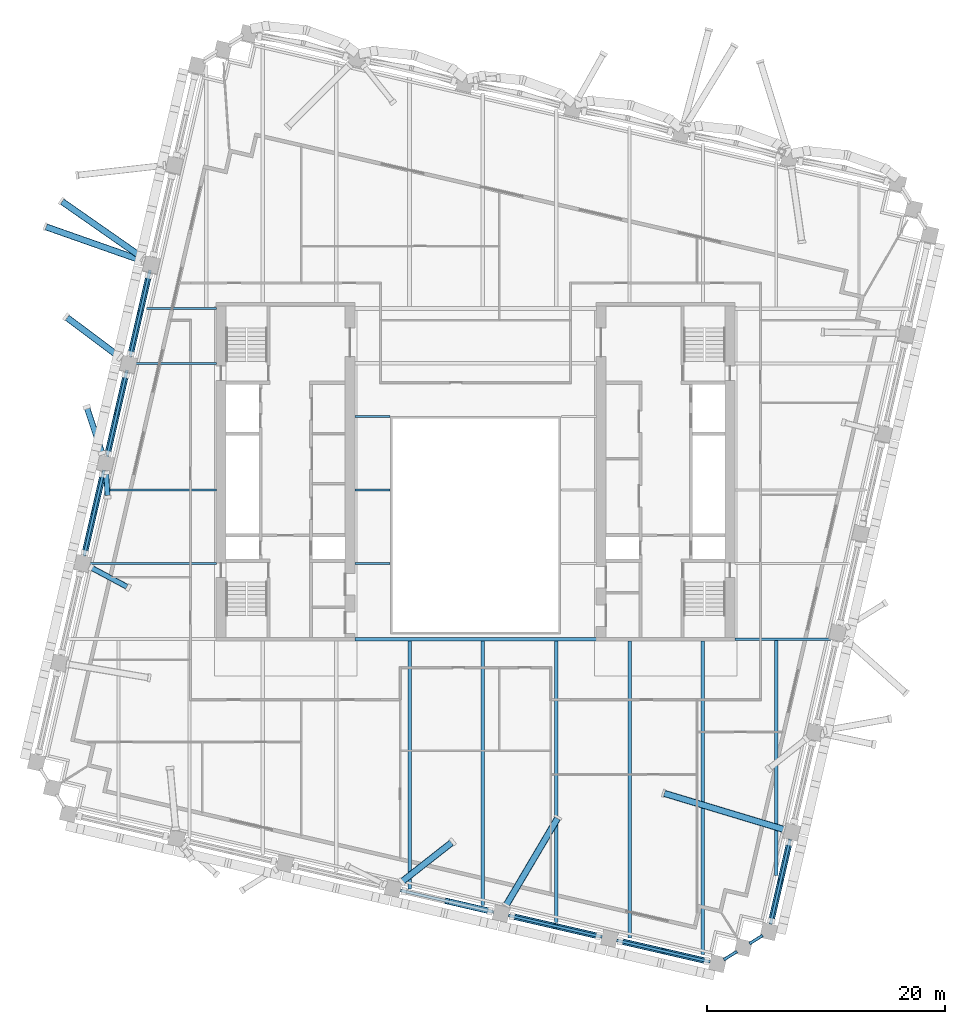
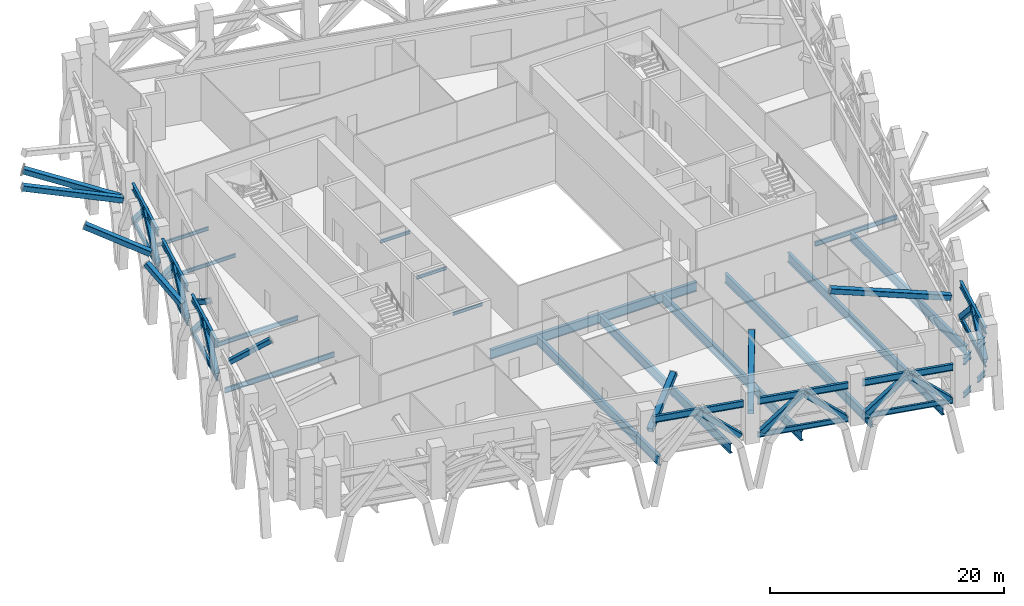
# One storey, part 2 of 20: 32 beams, 22 members.
"""IFC4 building model written with IfcOpenShell, lengths in metres."""

from ifc_helpers import new_model, si_unit, direction, frame, origin, origin_2d, place, context, subcontext, project, spatial, hollow_rectangle, i_section, extrude, material, material_profile, profile_set, type_object, element, save


model = new_model("IFC4")

# Units and contexts
model_context = context("Model", 3, precision=1e-05, world=origin(), true_north=direction((0.0, 1.0)))
body_context = subcontext(model_context, "Body", "Model", "MODEL_VIEW")
ifc_project = project(units=[si_unit("LENGTHUNIT", "METRE"), si_unit("AREAUNIT", "SQUARE_METRE"), si_unit("VOLUMEUNIT", "CUBIC_METRE"), si_unit("PLANEANGLEUNIT", "RADIAN"), si_unit("MASSUNIT", "GRAM", prefix="KILO")], contexts=[model_context])

# Site, building, storey
site_placement = place(None, origin())
site = spatial("IfcSite", under=ifc_project, at=site_placement, CompositionType="ELEMENT")
building_placement = place(site_placement, origin())
building = spatial("IfcBuilding", under=site, at=building_placement, Name="Ogive Exchange Tower", CompositionType="ELEMENT")
storey_placement = place(building_placement, frame((0.0, 0.0, 160.199951171875)))
storey = spatial("IfcBuildingStorey", under=building, at=storey_placement, Name="L35", CompositionType="ELEMENT", Elevation=160.199951171875)

# Beams
ifc_material_1 = material(Name="Steel ASTM A992 Gr50", Category="steel")
ifc_material_profile_1 = material_profile(ifc_material_1, i_section(OverallWidth=0.2099609375, OverallDepth=0.535888671875, WebThickness=0.010986328125, FlangeThickness=0.017333984375, at=origin_2d()), Name="W530x101")
ifc_profile_set_1 = profile_set([ifc_material_profile_1], Name="Steel ASTM A992 Gr50")
beam_type_1 = type_object("IfcBeamType", Name="Belt truss bottom chord W530x101", PredefinedType="BEAM", material=ifc_profile_set_1)
beam_1_placement = place(storey_placement, frame((2.773193359375, -25.85302734375, 0.400146484375), z_axis=(0.974371864918, -0.224943256972, 0.0), x_axis=(0.224943256972, 0.974371864918, 0.0)))
element("IfcBeam", 1, at=beam_1_placement, inside=storey, type_object=beam_type_1, Name="Belt truss bottom chord 5", PredefinedType="BEAM", context=body_context, shape_type="SweptSolid", body=[
    extrude(i_section(OverallWidth=0.2099609375, OverallDepth=0.535888671875, WebThickness=0.010986328125, FlangeThickness=0.017333984375, at=origin_2d()), origin(), (0.0, 0.0, 1.0), 8.090087890625),
])
beam_2_placement = place(storey_placement, frame((11.883544921875, -27.956298828125, 0.400146484375), z_axis=(0.974370337884, -0.224949871421, 0.0), x_axis=(0.224949871421, 0.974370337884, 0.0)))
element("IfcBeam", 2, at=beam_2_placement, inside=storey, type_object=beam_type_1, Name="Belt truss bottom chord 6", PredefinedType="BEAM", context=body_context, shape_type="SweptSolid", body=[
    extrude(i_section(OverallWidth=0.2099609375, OverallDepth=0.535888671875, WebThickness=0.010986328125, FlangeThickness=0.017333984375, at=origin_2d()), origin(), (0.0, 0.0, 1.0), 8.08984375),
])
for number, where, z_axis, x_axis, name in (
    (3, (20.9052734375, -29.58984375, 0.400146484375), (0.848040277303, 0.529931776808, 0.0), (-0.529931776808, 0.848040277303, 0.0), "Belt truss bottom chord 7"),
    (4, (23.06396484375, -28.24072265625, 0.400146484375), (0.848092721491, 0.529847842077, 0.0), (-0.529847842077, 0.848092721491, 0.0), "Belt truss bottom chord 8"),
):
    element("IfcBeam", number, at=place(storey_placement, frame(where, z_axis=z_axis, x_axis=x_axis)), inside=storey, type_object=beam_type_1, Name=name, PredefinedType="BEAM", context=body_context, shape_type="SweptSolid", body=[
        extrude(i_section(OverallWidth=0.2099609375, OverallDepth=0.535888671875, WebThickness=0.010986328125, FlangeThickness=0.017333984375, at=origin_2d()), origin(), (0.0, 0.0, 1.0), 1.30712890625),
    ])
for number, where, z_axis, x_axis, name in (
    (5, (24.83935546875, -26.606201171875, 0.400146484375), (0.224954345887, 0.974369304867, 0.0), (-0.974369304867, 0.224954345887, 0.0), "Belt truss bottom chord 9"),
    (6, (-27.45751953125, 28.265380859375, 0.400146484375), (-0.224954345887, -0.974369304867, 0.0), (0.974369304867, -0.224954345887, 0.0), "Belt truss bottom chord 28"),
    (7, (-29.390380859375, 19.8935546875, 0.400146484375), (-0.224954345887, -0.974369304867, 0.0), (0.974369304867, -0.224954345887, 0.0), "Belt truss bottom chord 29"),
    (8, (-31.3232421875, 11.521484375, 0.400146484375), (-0.224954345887, -0.974369304867, 0.0), (0.974369304867, -0.224954345887, 0.0), "Belt truss bottom chord 30"),
):
    element("IfcBeam", number, at=place(storey_placement, frame(where, z_axis=z_axis, x_axis=x_axis)), inside=storey, type_object=beam_type_1, Name=name, PredefinedType="BEAM", context=body_context, shape_type="SweptSolid", body=[
        extrude(i_section(OverallWidth=0.2099609375, OverallDepth=0.535888671875, WebThickness=0.010986328125, FlangeThickness=0.017333984375, at=origin_2d()), origin(), (0.0, 0.0, 1.0), 7.332275390625),
    ])

# Members
ifc_material_2 = material(Name="Steel ASTM A1085 Gr A", Category="steel")
ifc_material_profile_2 = material_profile(ifc_material_2, hollow_rectangle(XDim=0.508056640625, YDim=0.508056640625, WallThickness=0.022216796875, InnerFilletRadius=0.022216796875, OuterFilletRadius=0.04443359375, at=origin_2d()), Name="HSS508x508x22.2")
ifc_profile_set_2 = profile_set([ifc_material_profile_2], Name="Steel ASTM A1085 Gr A")
member_type_1 = type_object("IfcMemberType", Name="Belt truss diagonal HSS508x508x22.2", PredefinedType="BRACE", material=ifc_profile_set_2)
for number, where, z_axis, x_axis, name in (
    (9, (1.22607421875, -25.495849609375, 0.6845703125), (-0.736085647648, 0.169942254344, 0.655208020033), (-0.224955443303, -0.974369051504, 0.0), "Belt truss diagonal 4b"),
    (10, (3.0927734375, -25.9267578125, 0.6845703125), (0.736085647648, -0.169942254344, 0.655208020033), (0.224955443303, 0.974369051504, 0.0), "Belt truss diagonal 5a"),
    (11, (10.33642578125, -27.59912109375, 0.6845703125), (-0.736085647648, 0.169942254344, 0.655208020033), (-0.224955443303, -0.974369051504, 0.0), "Belt truss diagonal 5b"),
):
    element("IfcMember", number, at=place(storey_placement, frame(where, z_axis=z_axis, x_axis=x_axis)), inside=storey, type_object=member_type_1, Name=name, PredefinedType="BRACE", context=body_context, shape_type="SweptSolid", body=[
        extrude(hollow_rectangle(XDim=0.508056640625, YDim=0.508056640625, WallThickness=0.022216796875, InnerFilletRadius=0.022216796875, OuterFilletRadius=0.04443359375, at=origin_2d()), origin(), (0.0, 0.0, 1.0), 4.92041015625),
    ])
member_1_placement = place(storey_placement, frame((12.202880859375, -28.030029296875, 0.6845703125), z_axis=(0.736108380355, -0.169936047635, 0.655184090226), x_axis=(0.224941047733, 0.974372374939, 0.0)))
element("IfcMember", 12, at=member_1_placement, inside=storey, type_object=member_type_1, Name="Belt truss diagonal 6a", PredefinedType="BRACE", context=body_context, shape_type="SweptSolid", body=[
    extrude(hollow_rectangle(XDim=0.508056640625, YDim=0.508056640625, WallThickness=0.022216796875, InnerFilletRadius=0.022216796875, OuterFilletRadius=0.04443359375, at=origin_2d()), origin(), (0.0, 0.0, 1.0), 4.920654296875),
])
member_2_placement = place(storey_placement, frame((19.44677734375, -29.702392578125, 0.6845703125), z_axis=(-0.736085647648, 0.169942254344, 0.655208020033), x_axis=(-0.224955443303, -0.974369051504, 0.0)))
element("IfcMember", 13, at=member_2_placement, inside=storey, type_object=member_type_1, Name="Belt truss diagonal 6b", PredefinedType="BRACE", context=body_context, shape_type="SweptSolid", body=[
    extrude(hollow_rectangle(XDim=0.508056640625, YDim=0.508056640625, WallThickness=0.022216796875, InnerFilletRadius=0.022216796875, OuterFilletRadius=0.04443359375, at=origin_2d()), origin(), (0.0, 0.0, 1.0), 4.92041015625),
])
member_3_placement = place(storey_placement, frame((24.90673828125, -26.31396484375, 0.685302734375), z_axis=(0.163019581966, 0.706052790803, 0.689140096421), x_axis=(-0.974365693367, 0.224969988199, 0.0)))
element("IfcMember", 14, at=member_3_placement, inside=storey, type_object=member_type_1, Name="Belt truss diagonal 9a", PredefinedType="BRACE", context=body_context, shape_type="SweptSolid", body=[
    extrude(hollow_rectangle(XDim=0.508056640625, YDim=0.508056640625, WallThickness=0.022216796875, InnerFilletRadius=0.022216796875, OuterFilletRadius=0.04443359375, at=origin_2d()), origin(), (0.0, 0.0, 1.0), 4.677001953125),
])
member_4_placement = place(storey_placement, frame((26.422119140625, -19.75048828125, 0.685302734375), z_axis=(-0.162037730716, -0.701848251266, 0.693651790179), x_axis=(0.974369062281, -0.224955396622, 0.0)))
element("IfcMember", 15, at=member_4_placement, inside=storey, type_object=member_type_1, Name="Belt truss diagonal 9b", PredefinedType="BRACE", context=body_context, shape_type="SweptSolid", body=[
    extrude(hollow_rectangle(XDim=0.508056640625, YDim=0.508056640625, WallThickness=0.022216796875, InnerFilletRadius=0.022216796875, OuterFilletRadius=0.04443359375, at=origin_2d()), origin(), (0.0, 0.0, 1.0), 4.646728515625),
])
member_5_placement = place(storey_placement, frame((-27.52099609375, 27.99072265625, 0.685791015625), z_axis=(-0.157966016293, -0.684285699804, 0.711898741915), x_axis=(0.974374367106, -0.224932418132, 0.0)))
element("IfcMember", 16, at=member_5_placement, inside=storey, type_object=member_type_1, Name="Belt truss diagonal 28a", PredefinedType="BRACE", context=body_context, shape_type="SweptSolid", body=[
    extrude(hollow_rectangle(XDim=0.508056640625, YDim=0.508056640625, WallThickness=0.022216796875, InnerFilletRadius=0.022216796875, OuterFilletRadius=0.04443359375, at=origin_2d()), origin(), (0.0, 0.0, 1.0), 4.52685546875),
])
member_6_placement = place(storey_placement, frame((-29.036376953125, 21.427490234375, 0.684814453125), z_axis=(0.166718673105, 0.72195593799, 0.671553801001), x_axis=(-0.974357635643, 0.225004884089, 0.0)))
element("IfcMember", 17, at=member_6_placement, inside=storey, type_object=member_type_1, Name="Belt truss diagonal 28b", PredefinedType="BRACE", context=body_context, shape_type="SweptSolid", body=[
    extrude(hollow_rectangle(XDim=0.508056640625, YDim=0.508056640625, WallThickness=0.022216796875, InnerFilletRadius=0.022216796875, OuterFilletRadius=0.04443359375, at=origin_2d()), origin(), (0.0, 0.0, 1.0), 4.80029296875),
])
member_7_placement = place(storey_placement, frame((-29.45458984375, 19.615234375, 0.685791015625), z_axis=(-0.159032955058, -0.688803449215, 0.707289422765), x_axis=(0.974366918033, -0.224964683992, 0.0)))
element("IfcMember", 18, at=member_7_placement, inside=storey, type_object=member_type_1, Name="Belt truss diagonal 29a", PredefinedType="BRACE", context=body_context, shape_type="SweptSolid", body=[
    extrude(hollow_rectangle(XDim=0.508056640625, YDim=0.508056640625, WallThickness=0.022216796875, InnerFilletRadius=0.022216796875, OuterFilletRadius=0.04443359375, at=origin_2d()), origin(), (0.0, 0.0, 1.0), 4.556396484375),
])
member_8_placement = place(storey_placement, frame((-30.969970703125, 13.052001953125, 0.68505859375), z_axis=(0.1658095518, 0.718115588964, 0.675882529305), x_axis=(-0.974364263773, 0.224976179809, 0.0)))
element("IfcMember", 19, at=member_8_placement, inside=storey, type_object=member_type_1, Name="Belt truss diagonal 29b", PredefinedType="BRACE", context=body_context, shape_type="SweptSolid", body=[
    extrude(hollow_rectangle(XDim=0.508056640625, YDim=0.508056640625, WallThickness=0.022216796875, InnerFilletRadius=0.022216796875, OuterFilletRadius=0.04443359375, at=origin_2d()), origin(), (0.0, 0.0, 1.0), 4.76904296875),
])
member_9_placement = place(storey_placement, frame((-31.38818359375, 11.23974609375, 0.685546875), z_axis=(-0.160067552567, -0.693235695737, 0.702710928313), x_axis=(0.974363446528, -0.224979719244, 0.0)))
element("IfcMember", 20, at=member_9_placement, inside=storey, type_object=member_type_1, Name="Belt truss diagonal 30a", PredefinedType="BRACE", context=body_context, shape_type="SweptSolid", body=[
    extrude(hollow_rectangle(XDim=0.508056640625, YDim=0.508056640625, WallThickness=0.022216796875, InnerFilletRadius=0.022216796875, OuterFilletRadius=0.04443359375, at=origin_2d()), origin(), (0.0, 0.0, 1.0), 4.58642578125),
])
member_10_placement = place(storey_placement, frame((-32.903564453125, 4.676513671875, 0.68505859375), z_axis=(0.164883012604, 0.71414954834, 0.680297004815), x_axis=(-0.974367493424, 0.224962191844, 0.0)))
element("IfcMember", 21, at=member_10_placement, inside=storey, type_object=member_type_1, Name="Belt truss diagonal 30b", PredefinedType="BRACE", context=body_context, shape_type="SweptSolid", body=[
    extrude(hollow_rectangle(XDim=0.508056640625, YDim=0.508056640625, WallThickness=0.022216796875, InnerFilletRadius=0.022216796875, OuterFilletRadius=0.04443359375, at=origin_2d()), origin(), (0.0, 0.0, 1.0), 4.73828125),
])

# Beams
ifc_material_profile_3 = material_profile(ifc_material_1, i_section(OverallWidth=0.25390625, OverallDepth=0.68310546875, WebThickness=0.012451171875, FlangeThickness=0.018798828125, at=origin_2d()), Name="W690x140")
ifc_profile_set_3 = profile_set([ifc_material_profile_3], Name="Steel ASTM A992 Gr50")
beam_type_2 = type_object("IfcBeamType", Name="Belt truss top chord W690x140", PredefinedType="BEAM", material=ifc_profile_set_3)
beam_3_placement = place(storey_placement, frame((-6.337158203125, -23.749755859375, 3.908447265625), z_axis=(0.974370337884, -0.224949871421, 0.0), x_axis=(0.224949871421, 0.974370337884, 0.0)))
element("IfcBeam", 22, at=beam_3_placement, inside=storey, type_object=beam_type_2, Name="Belt truss top chord 4", PredefinedType="BEAM", context=body_context, shape_type="SweptSolid", body=[
    extrude(i_section(OverallWidth=0.25390625, OverallDepth=0.68310546875, WebThickness=0.012451171875, FlangeThickness=0.018798828125, at=origin_2d()), origin(), (0.0, 0.0, 1.0), 8.08984375),
])
beam_4_placement = place(storey_placement, frame((2.773193359375, -25.85302734375, 3.908447265625), z_axis=(0.974371864918, -0.224943256972, 0.0), x_axis=(0.224943256972, 0.974371864918, 0.0)))
element("IfcBeam", 23, at=beam_4_placement, inside=storey, type_object=beam_type_2, Name="Belt truss top chord 5", PredefinedType="BEAM", context=body_context, shape_type="SweptSolid", body=[
    extrude(i_section(OverallWidth=0.25390625, OverallDepth=0.68310546875, WebThickness=0.012451171875, FlangeThickness=0.018798828125, at=origin_2d()), origin(), (0.0, 0.0, 1.0), 8.090087890625),
])
beam_5_placement = place(storey_placement, frame((11.883544921875, -27.956298828125, 3.908447265625), z_axis=(0.974370337884, -0.224949871421, 0.0), x_axis=(0.224949871421, 0.974370337884, 0.0)))
element("IfcBeam", 24, at=beam_5_placement, inside=storey, type_object=beam_type_2, Name="Belt truss top chord 6", PredefinedType="BEAM", context=body_context, shape_type="SweptSolid", body=[
    extrude(i_section(OverallWidth=0.25390625, OverallDepth=0.68310546875, WebThickness=0.012451171875, FlangeThickness=0.018798828125, at=origin_2d()), origin(), (0.0, 0.0, 1.0), 8.08984375),
])
for number, where, z_axis, x_axis, name in (
    (25, (20.9052734375, -29.58984375, 3.908447265625), (0.848040277303, 0.529931776808, 0.0), (-0.529931776808, 0.848040277303, 0.0), "Belt truss top chord 7"),
    (26, (23.06396484375, -28.24072265625, 3.908447265625), (0.848092721491, 0.529847842077, 0.0), (-0.529847842077, 0.848092721491, 0.0), "Belt truss top chord 8"),
):
    element("IfcBeam", number, at=place(storey_placement, frame(where, z_axis=z_axis, x_axis=x_axis)), inside=storey, type_object=beam_type_2, Name=name, PredefinedType="BEAM", context=body_context, shape_type="SweptSolid", body=[
        extrude(i_section(OverallWidth=0.25390625, OverallDepth=0.68310546875, WebThickness=0.012451171875, FlangeThickness=0.018798828125, at=origin_2d()), origin(), (0.0, 0.0, 1.0), 1.30712890625),
    ])
for number, where, z_axis, x_axis, name in (
    (27, (24.83935546875, -26.606201171875, 3.908447265625), (0.224953759704, 0.9743694402, 0.0), (-0.9743694402, 0.224953759704, 0.0), "Belt truss top chord 9"),
    (28, (-27.40625, 28.487548828125, 3.908447265625), (-0.224953759704, -0.9743694402, 0.0), (0.9743694402, -0.224953759704, 0.0), "Belt truss top chord 28"),
    (29, (-29.349365234375, 20.071044921875, 3.908447265625), (-0.224953759704, -0.9743694402, 0.0), (0.9743694402, -0.224953759704, 0.0), "Belt truss top chord 29"),
    (30, (-31.29248046875, 11.65478515625, 3.908447265625), (-0.224953759704, -0.9743694402, 0.0), (0.9743694402, -0.224953759704, 0.0), "Belt truss top chord 30"),
):
    element("IfcBeam", number, at=place(storey_placement, frame(where, z_axis=z_axis, x_axis=x_axis)), inside=storey, type_object=beam_type_2, Name=name, PredefinedType="BEAM", context=body_context, shape_type="SweptSolid", body=[
        extrude(i_section(OverallWidth=0.25390625, OverallDepth=0.68310546875, WebThickness=0.012451171875, FlangeThickness=0.018798828125, at=origin_2d()), origin(), (0.0, 0.0, 1.0), 7.3779296875),
    ])

# Members
ifc_material_profile_4 = material_profile(ifc_material_2, hollow_rectangle(XDim=0.45703125, YDim=0.45703125, WallThickness=0.01904296875, InnerFilletRadius=0.01904296875, OuterFilletRadius=0.0380859375, at=origin_2d()), Name="HSS457.2x457.2x19")
ifc_profile_set_4 = profile_set([ifc_material_profile_4], Name="Steel ASTM A1085 Gr A")
member_type_2 = type_object("IfcMemberType", Name="Block-change strut HSS457.2x457.2x19", PredefinedType="STRUT", material=ifc_profile_set_4)
member_11_placement = place(storey_placement, frame((-31.1064453125, 11.4248046875, 3.466552734375), z_axis=(0.049503907856, -0.848422371919, 0.526999850032), x_axis=(0.998302078708, 0.05824911713, 0.0)))
element("IfcMember", 31, at=member_11_placement, inside=storey, type_object=member_type_2, Name="Block-change strut 26", PredefinedType="STRUT", context=body_context, shape_type="SweptSolid", body=[
    extrude(hollow_rectangle(XDim=0.45703125, YDim=0.45703125, WallThickness=0.01904296875, InnerFilletRadius=0.01904296875, OuterFilletRadius=0.0380859375, at=origin_2d()), origin(), (0.0, 0.0, 1.0), 2.42138671875),
])
member_12_placement = place(storey_placement, frame((-32.380126953125, 3.431640625, 2.5419921875), z_axis=(0.749616826955, -0.400501043552, 0.526947366308), x_axis=(0.47123429118, 0.882008074122, 0.0)))
element("IfcMember", 32, at=member_12_placement, inside=storey, type_object=member_type_2, Name="Block-change strut 27", PredefinedType="STRUT", context=body_context, shape_type="SweptSolid", body=[
    extrude(hollow_rectangle(XDim=0.45703125, YDim=0.45703125, WallThickness=0.01904296875, InnerFilletRadius=0.01904296875, OuterFilletRadius=0.0380859375, at=origin_2d()), origin(), (0.0, 0.0, 1.0), 4.17626953125),
])
ifc_material_profile_5 = material_profile(ifc_material_2, hollow_rectangle(XDim=0.508056640625, YDim=0.508056640625, WallThickness=0.01904296875, InnerFilletRadius=0.01904296875, OuterFilletRadius=0.0380859375, at=origin_2d()), Name="HSS508x508x19")
ifc_profile_set_5 = profile_set([ifc_material_profile_5], Name="Steel ASTM A1085 Gr A")
member_type_3 = type_object("IfcMemberType", Name="Block-change strut HSS508x508x19", PredefinedType="STRUT", material=ifc_profile_set_5)
member_13_placement = place(storey_placement, frame((-31.453125, 13.076904296875, 2.343505859375), z_axis=(-0.272196648367, 0.819081922809, 0.50498889923), x_axis=(-0.948971618112, -0.315361487847, 0.0)))
element("IfcMember", 33, at=member_13_placement, inside=storey, type_object=member_type_3, Name="Block-change strut 25", PredefinedType="STRUT", context=body_context, shape_type="SweptSolid", body=[
    extrude(hollow_rectangle(XDim=0.508056640625, YDim=0.508056640625, WallThickness=0.01904296875, InnerFilletRadius=0.01904296875, OuterFilletRadius=0.0380859375, at=origin_2d()), origin(), (0.0, 0.0, 1.0), 4.70263671875),
])
ifc_material_profile_6 = material_profile(ifc_material_2, hollow_rectangle(XDim=0.55908203125, YDim=0.55908203125, WallThickness=0.022216796875, InnerFilletRadius=0.022216796875, OuterFilletRadius=0.04443359375, at=origin_2d()), Name="HSS558.8x558.8x22.2")
ifc_profile_set_6 = profile_set([ifc_material_profile_6], Name="Steel ASTM A1085 Gr A")
member_type_4 = type_object("IfcMemberType", Name="Block-change strut HSS558.8x558.8x22.2", PredefinedType="STRUT", material=ifc_profile_set_6)
member_14_placement = place(storey_placement, frame((-6.214111328125, -23.029541015625, 2.303955078125), z_axis=(0.720656800147, 0.565772313325, 0.400693730768), x_axis=(-0.617512407479, 0.786561139779, 0.0)))
element("IfcMember", 34, at=member_14_placement, inside=storey, type_object=member_type_4, Name="Block-change strut 3", PredefinedType="STRUT", context=body_context, shape_type="SweptSolid", body=[
    extrude(hollow_rectangle(XDim=0.55908203125, YDim=0.55908203125, WallThickness=0.022216796875, InnerFilletRadius=0.022216796875, OuterFilletRadius=0.04443359375, at=origin_2d()), origin(), (0.0, 0.0, 1.0), 5.939453125),
])
member_15_placement = place(storey_placement, frame((2.5869140625, -24.988037109375, 2.28759765625), z_axis=(0.490267656767, 0.829068049253, 0.268856456937), x_axis=(-0.860761050781, 0.509009246929, 0.0)))
element("IfcMember", 35, at=member_15_placement, inside=storey, type_object=member_type_4, Name="Block-change strut 4", PredefinedType="STRUT", context=body_context, shape_type="SweptSolid", body=[
    extrude(hollow_rectangle(XDim=0.55908203125, YDim=0.55908203125, WallThickness=0.022216796875, InnerFilletRadius=0.022216796875, OuterFilletRadius=0.04443359375, at=origin_2d()), origin(), (0.0, 0.0, 1.0), 8.87646484375),
])
member_16_placement = place(storey_placement, frame((25.95068359375, -18.617431640625, 2.282958984375), z_axis=(-0.933798369374, 0.281657167125, 0.220657756631), x_axis=(-0.288775098483, -0.957396961817, 0.0)))
element("IfcMember", 36, at=member_16_placement, inside=storey, type_object=member_type_4, Name="Block-change strut 5", PredefinedType="STRUT", context=body_context, shape_type="SweptSolid", body=[
    extrude(hollow_rectangle(XDim=0.55908203125, YDim=0.55908203125, WallThickness=0.022216796875, InnerFilletRadius=0.022216796875, OuterFilletRadius=0.04443359375, at=origin_2d()), origin(), (0.0, 0.0, 1.0), 10.826416015625),
])
member_17_placement = place(storey_placement, frame((-27.988525390625, 29.244384765625, 2.287109375), z_axis=(-0.909988916663, 0.320014477065, 0.263649210162), x_axis=(-0.331752330277, -0.943366520158, 0.0)))
element("IfcMember", 37, at=member_17_placement, inside=storey, type_object=member_type_4, Name="Block-change strut 23", PredefinedType="STRUT", context=body_context, shape_type="SweptSolid", body=[
    extrude(hollow_rectangle(XDim=0.55908203125, YDim=0.55908203125, WallThickness=0.022216796875, InnerFilletRadius=0.022216796875, OuterFilletRadius=0.04443359375, at=origin_2d()), origin(), (0.0, 0.0, 1.0), 9.052734375),
])
member_18_placement = place(storey_placement, frame((-29.93115234375, 21.130859375, 2.302001953125), z_axis=(-0.738114110756, 0.552911542463, 0.386621760528), x_axis=(-0.599532137692, -0.80035068306, 0.0)))
element("IfcMember", 38, at=member_18_placement, inside=storey, type_object=member_type_4, Name="Block-change strut 24", PredefinedType="STRUT", context=body_context, shape_type="SweptSolid", body=[
    extrude(hollow_rectangle(XDim=0.55908203125, YDim=0.55908203125, WallThickness=0.022216796875, InnerFilletRadius=0.022216796875, OuterFilletRadius=0.04443359375, at=origin_2d()), origin(), (0.0, 0.0, 1.0), 6.157470703125),
])
member_19_placement = place(storey_placement, frame((-28.001708984375, 29.495849609375, 2.2880859375), z_axis=(-0.788870000421, 0.550271542741, 0.27365188047), x_axis=(-0.572109652383, -0.820177142848, 0.0)))
element("IfcMember", 39, at=member_19_placement, inside=storey, type_object=member_type_4, Name="Block-change strut 33", PredefinedType="STRUT", context=body_context, shape_type="SweptSolid", body=[
    extrude(hollow_rectangle(XDim=0.55908203125, YDim=0.55908203125, WallThickness=0.022216796875, InnerFilletRadius=0.022216796875, OuterFilletRadius=0.04443359375, at=origin_2d()), origin(), (0.0, 0.0, 1.0), 8.719970703125),
])

# Beams
ifc_material_profile_7 = material_profile(ifc_material_1, i_section(OverallWidth=0.300048828125, OverallDepth=0.969970703125, WebThickness=0.01611328125, FlangeThickness=0.02099609375, at=origin_2d()), Name="W1000x222")
ifc_profile_set_7 = profile_set([ifc_material_profile_7], Name="Steel ASTM A992 Gr50")
beam_type_3 = type_object("IfcBeamType", Name="Floor beam W1000x222", PredefinedType="JOIST", material=ifc_profile_set_7)
beam_6_placement = place(storey_placement, frame((25.326416015625, -22.496826171875, -0.784912109375), z_axis=(0.0, 1.0, 0.0), x_axis=(-1.0, 0.0, 0.0)))
element("IfcBeam", 40, at=beam_6_placement, inside=storey, type_object=beam_type_3, Name="Floor beam", PredefinedType="JOIST", context=body_context, shape_type="SweptSolid", body=[
    extrude(i_section(OverallWidth=0.300048828125, OverallDepth=0.969970703125, WebThickness=0.01611328125, FlangeThickness=0.02099609375, at=origin_2d()), origin(), (0.0, 0.0, 1.0), 19.806396484375),
])
ifc_material_profile_8 = material_profile(ifc_material_1, i_section(OverallWidth=0.300048828125, OverallDepth=0.97998046875, WebThickness=0.0166015625, FlangeThickness=0.026123046875, at=origin_2d()), Name="W1000x249")
ifc_profile_set_8 = profile_set([ifc_material_profile_8], Name="Steel ASTM A992 Gr50")
beam_type_4 = type_object("IfcBeamType", Name="Floor beam W1000x249", PredefinedType="JOIST", material=ifc_profile_set_8)
beam_7_placement = place(storey_placement, frame((-5.556884765625, -23.617919921875, -0.7900390625), z_axis=(0.0, 1.0, 0.0), x_axis=(-1.0, 0.0, 0.0)))
element("IfcBeam", 41, at=beam_7_placement, inside=storey, type_object=beam_type_4, Name="Floor beam", PredefinedType="JOIST", context=body_context, shape_type="SweptSolid", body=[
    extrude(i_section(OverallWidth=0.300048828125, OverallDepth=0.97998046875, WebThickness=0.0166015625, FlangeThickness=0.026123046875, at=origin_2d()), origin(), (0.0, 0.0, 1.0), 20.872802734375),
])
beam_8_placement = place(storey_placement, frame((0.61962890625, -25.0439453125, -0.7900390625), z_axis=(0.0, 1.0, 0.0), x_axis=(-1.0, 0.0, 0.0)))
element("IfcBeam", 42, at=beam_8_placement, inside=storey, type_object=beam_type_4, Name="Floor beam", PredefinedType="JOIST", context=body_context, shape_type="SweptSolid", body=[
    extrude(i_section(OverallWidth=0.300048828125, OverallDepth=0.97998046875, WebThickness=0.0166015625, FlangeThickness=0.026123046875, at=origin_2d()), origin(), (0.0, 0.0, 1.0), 22.298828125),
])
beam_9_placement = place(storey_placement, frame((6.79638671875, -26.469970703125, -0.7900390625), z_axis=(0.0, 1.0, 0.0), x_axis=(-1.0, 0.0, 0.0)))
element("IfcBeam", 43, at=beam_9_placement, inside=storey, type_object=beam_type_4, Name="Floor beam", PredefinedType="JOIST", context=body_context, shape_type="SweptSolid", body=[
    extrude(i_section(OverallWidth=0.300048828125, OverallDepth=0.97998046875, WebThickness=0.0166015625, FlangeThickness=0.026123046875, at=origin_2d()), origin(), (0.0, 0.0, 1.0), 23.724853515625),
])
beam_10_placement = place(storey_placement, frame((12.972900390625, -27.74609375, -0.7900390625), z_axis=(0.0, 1.0, 0.0), x_axis=(-1.0, 0.0, 0.0)))
element("IfcBeam", 44, at=beam_10_placement, inside=storey, type_object=beam_type_4, Name="Floor beam", PredefinedType="JOIST", context=body_context, shape_type="SweptSolid", body=[
    extrude(i_section(OverallWidth=0.300048828125, OverallDepth=0.97998046875, WebThickness=0.0166015625, FlangeThickness=0.026123046875, at=origin_2d()), origin(), (0.0, 0.0, 1.0), 24.99609375),
])
beam_11_placement = place(storey_placement, frame((19.149658203125, -29.172119140625, -0.7900390625), z_axis=(0.0, 1.0, 0.0), x_axis=(-1.0, 0.0, 0.0)))
element("IfcBeam", 45, at=beam_11_placement, inside=storey, type_object=beam_type_4, Name="Floor beam", PredefinedType="JOIST", context=body_context, shape_type="SweptSolid", body=[
    extrude(i_section(OverallWidth=0.300048828125, OverallDepth=0.97998046875, WebThickness=0.0166015625, FlangeThickness=0.026123046875, at=origin_2d()), origin(), (0.0, 0.0, 1.0), 26.422119140625),
])
ifc_material_profile_9 = material_profile(ifc_material_1, i_section(OverallWidth=0.1650390625, OverallDepth=0.31005859375, WebThickness=0.005859375, FlangeThickness=0.009765625, at=origin_2d()), Name="W310x38.7")
ifc_profile_set_9 = profile_set([ifc_material_profile_9], Name="Steel ASTM A992 Gr50")
beam_type_5 = type_object("IfcBeamType", Name="Floor beam W310x38.7", PredefinedType="JOIST", material=ifc_profile_set_9)
for number, where, z_axis, x_axis, name in (
    (46, (-10.169921875, 3.75830078125, -0.454833984375), (1.0, 0.0, 0.0), (0.0, 1.0, 0.0), "Floor beam"),
    (47, (-10.169921875, 9.956787109375, -0.454833984375), (1.0, 0.0, 0.0), (0.0, 1.0, 0.0), "Floor beam"),
):
    element("IfcBeam", number, at=place(storey_placement, frame(where, z_axis=z_axis, x_axis=x_axis)), inside=storey, type_object=beam_type_5, Name=name, PredefinedType="JOIST", context=body_context, shape_type="SweptSolid", body=[
        extrude(i_section(OverallWidth=0.1650390625, OverallDepth=0.31005859375, WebThickness=0.005859375, FlangeThickness=0.009765625, at=origin_2d()), origin(), (0.0, 0.0, 1.0), 2.949951171875),
    ])
ifc_material_profile_10 = material_profile(ifc_material_1, i_section(OverallWidth=0.1708984375, OverallDepth=0.35595703125, WebThickness=0.00732421875, FlangeThickness=0.01171875, at=origin_2d()), Name="W360x51")
ifc_profile_set_10 = profile_set([ifc_material_profile_10], Name="Steel ASTM A992 Gr50")
beam_type_6 = type_object("IfcBeamType", Name="Floor beam W360x51", PredefinedType="JOIST", material=ifc_profile_set_10)
beam_12_placement = place(storey_placement, frame((-28.76025390625, 20.62255859375, -0.47802734375), z_axis=(1.0, 0.0, 0.0), x_axis=(0.0, 1.0, 0.0)))
element("IfcBeam", 48, at=beam_12_placement, inside=storey, type_object=beam_type_6, Name="Floor beam", PredefinedType="JOIST", context=body_context, shape_type="SweptSolid", body=[
    extrude(i_section(OverallWidth=0.1708984375, OverallDepth=0.35595703125, WebThickness=0.00732421875, FlangeThickness=0.01171875, at=origin_2d()), origin(), (0.0, 0.0, 1.0), 6.93017578125),
])
ifc_material_profile_11 = material_profile(ifc_material_1, i_section(OverallWidth=0.19091796875, OverallDepth=0.45703125, WebThickness=0.009033203125, FlangeThickness=0.014404296875, at=origin_2d()), Name="W460x74")
ifc_profile_set_11 = profile_set([ifc_material_profile_11], Name="Steel ASTM A992 Gr50")
beam_type_7 = type_object("IfcBeamType", Name="Floor beam W460x74", PredefinedType="JOIST", material=ifc_profile_set_11)
beam_13_placement = place(storey_placement, frame((-31.22265625, 9.956787109375, -0.528564453125), z_axis=(1.0, 0.0, 0.0), x_axis=(0.0, 1.0, 0.0)))
element("IfcBeam", 49, at=beam_13_placement, inside=storey, type_object=beam_type_7, Name="Floor beam", PredefinedType="JOIST", context=body_context, shape_type="SweptSolid", body=[
    extrude(i_section(OverallWidth=0.19091796875, OverallDepth=0.45703125, WebThickness=0.009033203125, FlangeThickness=0.014404296875, at=origin_2d()), origin(), (0.0, 0.0, 1.0), 9.392578125),
])
ifc_material_profile_12 = material_profile(ifc_material_1, i_section(OverallWidth=0.1669921875, OverallDepth=0.535888671875, WebThickness=0.01025390625, FlangeThickness=0.0166015625, at=origin_2d()), Name="W530x85")
ifc_profile_set_12 = profile_set([ifc_material_profile_12], Name="Steel ASTM A992 Gr50")
beam_type_8 = type_object("IfcBeamType", Name="Floor beam W530x85", PredefinedType="JOIST", material=ifc_profile_set_12)
beam_14_placement = place(storey_placement, frame((-32.65380859375, 3.75830078125, -0.56787109375), z_axis=(1.0, 0.0, 0.0), x_axis=(0.0, 1.0, 0.0)))
element("IfcBeam", 50, at=beam_14_placement, inside=storey, type_object=beam_type_8, Name="Floor beam", PredefinedType="JOIST", context=body_context, shape_type="SweptSolid", body=[
    extrude(i_section(OverallWidth=0.1669921875, OverallDepth=0.535888671875, WebThickness=0.01025390625, FlangeThickness=0.0166015625, at=origin_2d()), origin(), (0.0, 0.0, 1.0), 10.82373046875),
])
ifc_material_profile_13 = material_profile(ifc_material_1, i_section(OverallWidth=0.300048828125, OverallDepth=0.97998046875, WebThickness=0.0166015625, FlangeThickness=0.026123046875, at=origin_2d()), Name="W1000x249")
ifc_profile_set_13 = profile_set([ifc_material_profile_13], Name="Steel ASTM A992 Gr50")
beam_type_9 = type_object("IfcBeamType", Name="Girder W1000x249", PredefinedType="BEAM", material=ifc_profile_set_13)
beam_15_placement = place(storey_placement, frame((-10.169921875, -2.594970703125, -0.7900390625), z_axis=(1.0, 0.0, 0.0), x_axis=(0.0, 1.0, 0.0)))
element("IfcBeam", 51, at=beam_15_placement, inside=storey, type_object=beam_type_9, Name="Header girder", PredefinedType="BEAM", context=body_context, shape_type="SweptSolid", body=[
    extrude(i_section(OverallWidth=0.300048828125, OverallDepth=0.97998046875, WebThickness=0.0166015625, FlangeThickness=0.026123046875, at=origin_2d()), origin(), (0.0, 0.0, 1.0), 20.33984375),
])
ifc_material_profile_14 = material_profile(ifc_material_1, i_section(OverallWidth=0.1650390625, OverallDepth=0.31005859375, WebThickness=0.005859375, FlangeThickness=0.009765625, at=origin_2d()), Name="W310x38.7")
ifc_profile_set_14 = profile_set([ifc_material_profile_14], Name="Steel ASTM A992 Gr50")
beam_type_10 = type_object("IfcBeamType", Name="Girder W310x38.7", PredefinedType="BEAM", material=ifc_profile_set_14)
beam_16_placement = place(storey_placement, frame((-10.169921875, 16.155029296875, -0.454833984375), z_axis=(1.0, 0.0, 0.0), x_axis=(0.0, 1.0, 0.0)))
element("IfcBeam", 52, at=beam_16_placement, inside=storey, type_object=beam_type_10, Name="Trimmer girder", PredefinedType="BEAM", context=body_context, shape_type="SweptSolid", body=[
    extrude(i_section(OverallWidth=0.1650390625, OverallDepth=0.31005859375, WebThickness=0.005859375, FlangeThickness=0.009765625, at=origin_2d()), origin(), (0.0, 0.0, 1.0), 2.949951171875),
])
ifc_material_profile_15 = material_profile(ifc_material_1, i_section(OverallWidth=0.1708984375, OverallDepth=0.35595703125, WebThickness=0.00732421875, FlangeThickness=0.01171875, at=origin_2d()), Name="W360x51")
ifc_profile_set_15 = profile_set([ifc_material_profile_15], Name="Steel ASTM A992 Gr50")
beam_type_11 = type_object("IfcBeamType", Name="Girder W360x51", PredefinedType="BEAM", material=ifc_profile_set_15)
beam_17_placement = place(storey_placement, frame((-27.693115234375, 25.2451171875, -0.47802734375), z_axis=(1.0, 0.0, 0.0), x_axis=(0.0, 1.0, 0.0)))
element("IfcBeam", 53, at=beam_17_placement, inside=storey, type_object=beam_type_11, Name="Header girder", PredefinedType="BEAM", context=body_context, shape_type="SweptSolid", body=[
    extrude(i_section(OverallWidth=0.1708984375, OverallDepth=0.35595703125, WebThickness=0.00732421875, FlangeThickness=0.01171875, at=origin_2d()), origin(), (0.0, 0.0, 1.0), 5.863037109375),
])
ifc_material_profile_16 = material_profile(ifc_material_1, i_section(OverallWidth=0.19091796875, OverallDepth=0.45703125, WebThickness=0.009033203125, FlangeThickness=0.014404296875, at=origin_2d()), Name="W460x74")
ifc_profile_set_16 = profile_set([ifc_material_profile_16], Name="Steel ASTM A992 Gr50")
beam_type_12 = type_object("IfcBeamType", Name="Girder W460x74", PredefinedType="BEAM", material=ifc_profile_set_16)
beam_18_placement = place(storey_placement, frame((21.830078125, -2.594970703125, -0.528564453125), z_axis=(1.0, 0.0, 0.0), x_axis=(0.0, 1.0, 0.0)))
element("IfcBeam", 54, at=beam_18_placement, inside=storey, type_object=beam_type_12, Name="Header girder", PredefinedType="BEAM", context=body_context, shape_type="SweptSolid", body=[
    extrude(i_section(OverallWidth=0.19091796875, OverallDepth=0.45703125, WebThickness=0.009033203125, FlangeThickness=0.014404296875, at=origin_2d()), origin(), (0.0, 0.0, 1.0), 8.0908203125),
])

save(model, "model.ifc")
